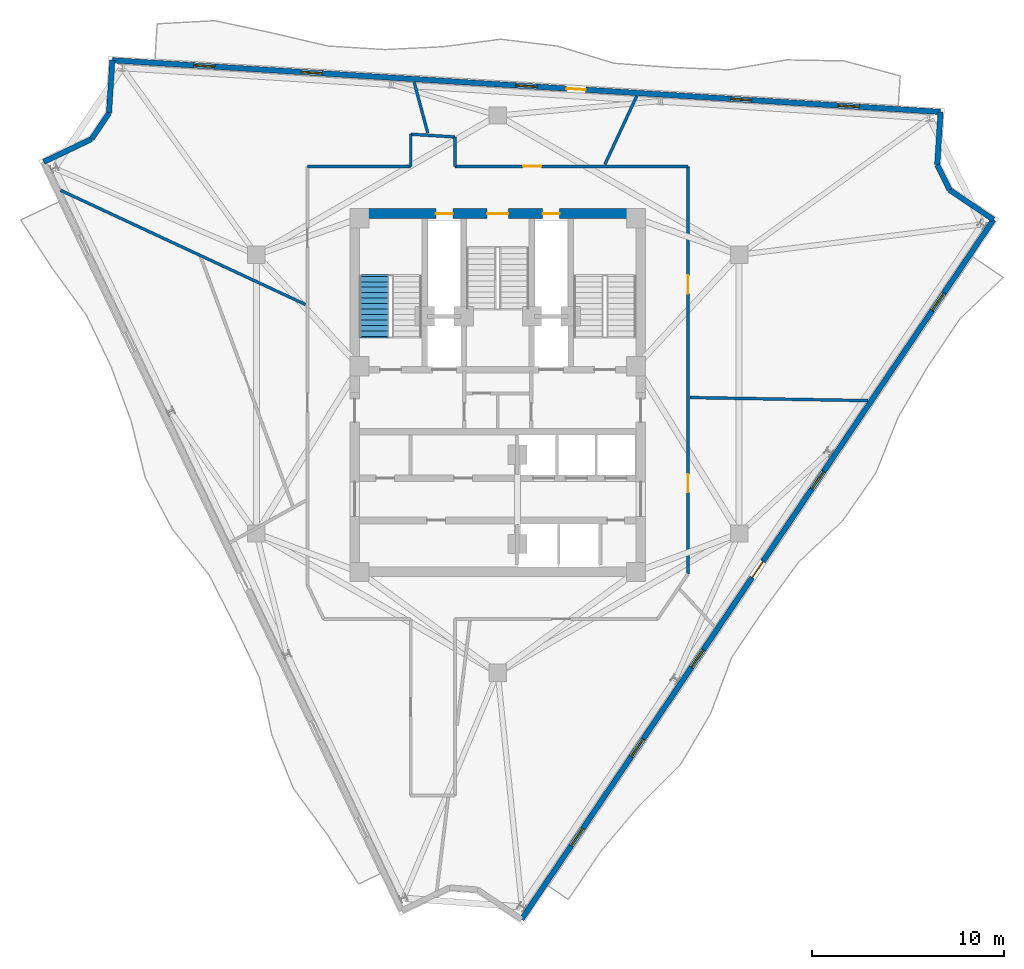
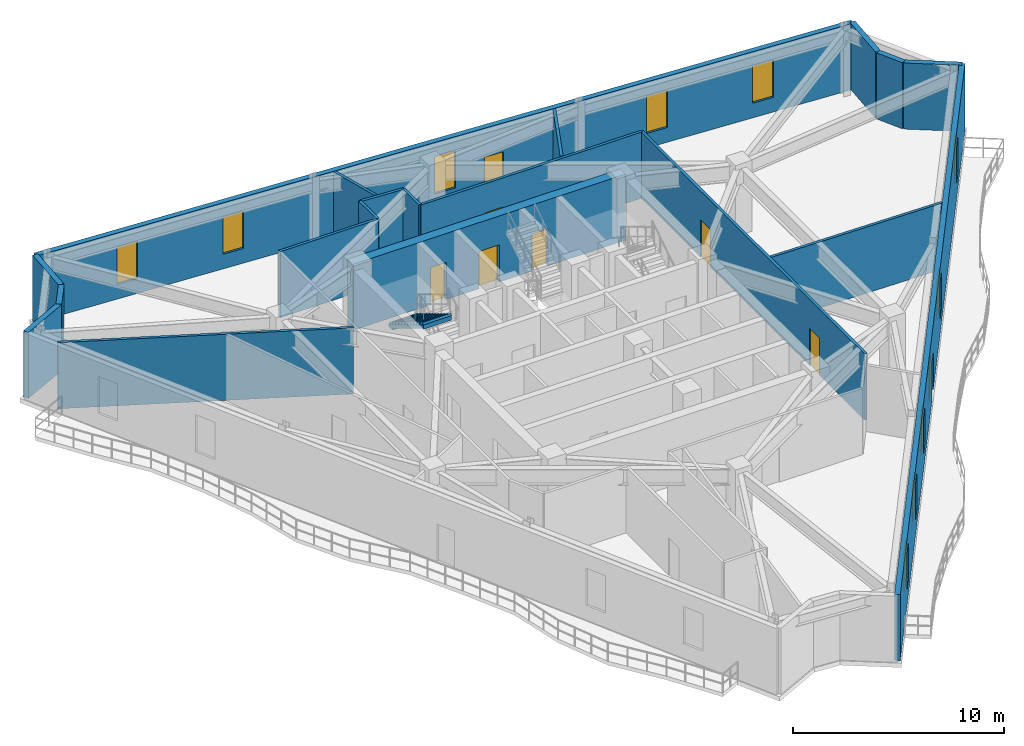
# One storey, part 7 of 11: 19 walls, 10 windows, 8 doors, 1 stair flight, 18 openings, 1 element without a shape of its own.
"""IFC4 building model written with IfcOpenShell, lengths in metres."""

from ifc_helpers import new_model, si_unit, direction, frame, frame_2d, origin, place, context, subcontext, project, spatial, polyline, rectangle, outline, extrude, material, layer, layer_set, type_object, element, fill, aggregate, save


model = new_model("IFC4")

# Units and contexts
model_context = context("Model", 3, precision=1e-05, world=origin(), true_north=direction((0.0, 1.0)))
body_context = subcontext(model_context, "Body", "Model", "MODEL_VIEW")
ifc_project = project(units=[si_unit("LENGTHUNIT", "METRE"), si_unit("AREAUNIT", "SQUARE_METRE"), si_unit("VOLUMEUNIT", "CUBIC_METRE"), si_unit("PLANEANGLEUNIT", "RADIAN"), si_unit("MASSUNIT", "GRAM", prefix="KILO")], contexts=[model_context])

# Site, building, storey
site_placement = place(None, origin())
site = spatial("IfcSite", under=ifc_project, at=site_placement, CompositionType="ELEMENT")
building_placement = place(site_placement, origin())
building = spatial("IfcBuilding", under=site, at=building_placement, Name="Apsidion Concourse Tower", CompositionType="ELEMENT")
storey_placement = place(building_placement, frame((0.0, 0.0, 314.699951171875)))
storey = spatial("IfcBuildingStorey", under=building, at=storey_placement, Name="L74", CompositionType="ELEMENT", Elevation=314.699951171875)

# Wall, openings, door, windows
ifc_material_1 = material(Name="Precast concrete C40/50", Category="concrete")
ifc_layer_1 = layer(ifc_material_1, 0.280029296875)
ifc_layer_set_1 = layer_set([ifc_layer_1], Name="Precast concrete C40/50")
wall_type_1 = type_object("IfcWallType", Name="WL-EXT-280", PredefinedType="STANDARD", material=ifc_layer_set_1)
wall_1_placement = place(storey_placement, frame((-20.056396484375, 17.376220703125, 0.0), z_axis=(0.0, 0.0, 1.0), x_axis=(0.998061236898, -0.06223959674, 0.0)))
wall_1 = element("IfcWall", 1, at=wall_1_placement, inside=storey, type_object=wall_type_1, Name="L74 Precast Stone Facade Wall 01", PredefinedType="STANDARD", context=body_context, shape_type="SweptSolid", body=[
    extrude(rectangle(XDim=43.179931640625, YDim=0.280029296875, at=frame_2d((21.58984375, 0.0))), origin(), (0.0, 0.0, 1.0), 3.820068359375),
])
opening_1_placement = place(wall_1_placement, frame((23.680908203125, 0.0, 0.0)))
opening_1 = element("IfcOpeningElement", 2, at=opening_1_placement, cuts=wall_1, Name="Opening D-T1L", PredefinedType="OPENING", context=body_context, shape_type="SweptSolid", body=[
    extrude(rectangle(XDim=1.0, YDim=2.14990234375, at=frame_2d((0.5, 1.074951171875))), frame((0.0, 0.14990234375, 0.0), z_axis=(0.0, -1.0, 0.0), x_axis=(1.0, 0.0, 0.0)), (0.0, 0.0, 1.0), 0.300048828125),
])
opening_2_placement = place(wall_1_placement, frame((4.239990234375, 0.0, 0.85009765625)))
opening_2 = element("IfcOpeningElement", 3, at=opening_2_placement, cuts=wall_1, Name="Opening WN-07", PredefinedType="OPENING", context=body_context, shape_type="SweptSolid", body=[
    extrude(rectangle(XDim=1.10009765625, YDim=2.14990234375, at=frame_2d((0.550048828125, 1.074951171875))), frame((0.0, 0.14990234375, 0.0), z_axis=(0.0, -1.0, 0.0), x_axis=(1.0, 0.0, 0.0)), (0.0, 0.0, 1.0), 0.300048828125),
])
opening_3_placement = place(wall_1_placement, frame((9.840087890625, 0.0, 0.85009765625)))
opening_3 = element("IfcOpeningElement", 4, at=opening_3_placement, cuts=wall_1, Name="Opening WN-07", PredefinedType="OPENING", context=body_context, shape_type="SweptSolid", body=[
    extrude(rectangle(XDim=1.10009765625, YDim=2.14990234375, at=frame_2d((0.550048828125, 1.074951171875))), frame((0.0, 0.14990234375, 0.0), z_axis=(0.0, -1.0, 0.0), x_axis=(1.0, 0.0, 0.0)), (0.0, 0.0, 1.0), 0.300048828125),
])
opening_4_placement = place(wall_1_placement, frame((21.0400390625, 0.0, 0.85009765625)))
opening_4 = element("IfcOpeningElement", 5, at=opening_4_placement, cuts=wall_1, Name="Opening WN-07", PredefinedType="OPENING", context=body_context, shape_type="SweptSolid", body=[
    extrude(rectangle(XDim=1.10009765625, YDim=2.14990234375, at=frame_2d((0.550048828125, 1.074951171875))), frame((0.0, 0.14990234375, 0.0), z_axis=(0.0, -1.0, 0.0), x_axis=(1.0, 0.0, 0.0)), (0.0, 0.0, 1.0), 0.300048828125),
])
opening_5_placement = place(wall_1_placement, frame((32.239990234375, 0.0, 0.85009765625)))
opening_5 = element("IfcOpeningElement", 6, at=opening_5_placement, cuts=wall_1, Name="Opening WN-07", PredefinedType="OPENING", context=body_context, shape_type="SweptSolid", body=[
    extrude(rectangle(XDim=1.10009765625, YDim=2.14990234375, at=frame_2d((0.550048828125, 1.074951171875))), frame((0.0, 0.14990234375, 0.0), z_axis=(0.0, -1.0, 0.0), x_axis=(1.0, 0.0, 0.0)), (0.0, 0.0, 1.0), 0.300048828125),
])
opening_6_placement = place(wall_1_placement, frame((37.840087890625, 0.0, 0.85009765625)))
opening_6 = element("IfcOpeningElement", 7, at=opening_6_placement, cuts=wall_1, Name="Opening WN-07", PredefinedType="OPENING", context=body_context, shape_type="SweptSolid", body=[
    extrude(rectangle(XDim=1.10009765625, YDim=2.14990234375, at=frame_2d((0.550048828125, 1.074951171875))), frame((0.0, 0.14990234375, 0.0), z_axis=(0.0, -1.0, 0.0), x_axis=(1.0, 0.0, 0.0)), (0.0, 0.0, 1.0), 0.300048828125),
])
ifc_material_2 = material(Name="Anodised aluminium EN AW-6063 T6", Category="aluminium")
door_type_1 = type_object("IfcDoorType", Name="DR-TER-1022L", OperationType="SINGLE_SWING_LEFT", PredefinedType="DOOR", material=ifc_material_2)
door_1_placement = place(opening_1_placement, origin())
door_1 = element("IfcDoor", 8, at=door_1_placement, inside=storey, type_object=door_type_1, Name="L74 Balcony Access Door 3", OperationType="SINGLE_SWING_LEFT", OverallHeight=2.14990234375, OverallWidth=1.0, PredefinedType="DOOR", context=body_context, shape_type="SweptSolid", body=[
    extrude(rectangle(XDim=1.0, YDim=2.14990234375, at=frame_2d((0.5, 1.074951171875))), frame((0.0, 0.02490234375, 0.0), z_axis=(0.0, -1.0, 0.0), x_axis=(1.0, 0.0, 0.0)), (0.0, 0.0, 1.0), 0.050048828125),
])
fill(opening_1, door_1)
ifc_material_3 = material(Name="Insulated laminated low-E glass", Category="glass")
window_type = type_object("IfcWindowType", Name="WN-OFF-1123", PartitioningType="SINGLE_PANEL", PredefinedType="WINDOW", material=ifc_material_3)
window_1_placement = place(opening_2_placement, origin())
window_1 = element("IfcWindow", 9, at=window_1_placement, inside=storey, type_object=window_type, Name="L74 Punched Facade Window 1-01", OverallHeight=2.14990234375, OverallWidth=1.10009765625, PartitioningType="SINGLE_PANEL", PredefinedType="WINDOW", context=body_context, shape_type="SweptSolid", body=[
    extrude(rectangle(XDim=1.10009765625, YDim=2.14990234375, at=frame_2d((0.550048828125, 1.074951171875))), frame((0.0, 0.030029296875, 0.0), z_axis=(0.0, -1.0, 0.0), x_axis=(1.0, 0.0, 0.0)), (0.0, 0.0, 1.0), 0.06005859375),
])
fill(opening_2, window_1)
window_2_placement = place(opening_3_placement, origin())
window_2 = element("IfcWindow", 10, at=window_2_placement, inside=storey, type_object=window_type, Name="L74 Punched Facade Window 1-02", OverallHeight=2.14990234375, OverallWidth=1.10009765625, PartitioningType="SINGLE_PANEL", PredefinedType="WINDOW", context=body_context, shape_type="SweptSolid", body=[
    extrude(rectangle(XDim=1.10009765625, YDim=2.14990234375, at=frame_2d((0.550048828125, 1.074951171875))), frame((0.0, 0.030029296875, 0.0), z_axis=(0.0, -1.0, 0.0), x_axis=(1.0, 0.0, 0.0)), (0.0, 0.0, 1.0), 0.06005859375),
])
fill(opening_3, window_2)
window_3_placement = place(opening_4_placement, origin())
window_3 = element("IfcWindow", 11, at=window_3_placement, inside=storey, type_object=window_type, Name="L74 Punched Facade Window 1-04", OverallHeight=2.14990234375, OverallWidth=1.10009765625, PartitioningType="SINGLE_PANEL", PredefinedType="WINDOW", context=body_context, shape_type="SweptSolid", body=[
    extrude(rectangle(XDim=1.10009765625, YDim=2.14990234375, at=frame_2d((0.550048828125, 1.074951171875))), frame((0.0, 0.030029296875, 0.0), z_axis=(0.0, -1.0, 0.0), x_axis=(1.0, 0.0, 0.0)), (0.0, 0.0, 1.0), 0.06005859375),
])
fill(opening_4, window_3)
window_4_placement = place(opening_5_placement, origin())
window_4 = element("IfcWindow", 12, at=window_4_placement, inside=storey, type_object=window_type, Name="L74 Punched Facade Window 1-06", OverallHeight=2.14990234375, OverallWidth=1.10009765625, PartitioningType="SINGLE_PANEL", PredefinedType="WINDOW", context=body_context, shape_type="SweptSolid", body=[
    extrude(rectangle(XDim=1.10009765625, YDim=2.14990234375, at=frame_2d((0.550048828125, 1.074951171875))), frame((0.0, 0.030029296875, 0.0), z_axis=(0.0, -1.0, 0.0), x_axis=(1.0, 0.0, 0.0)), (0.0, 0.0, 1.0), 0.06005859375),
])
fill(opening_5, window_4)
window_5_placement = place(opening_6_placement, origin())
window_5 = element("IfcWindow", 13, at=window_5_placement, inside=storey, type_object=window_type, Name="L74 Punched Facade Window 1-07", OverallHeight=2.14990234375, OverallWidth=1.10009765625, PartitioningType="SINGLE_PANEL", PredefinedType="WINDOW", context=body_context, shape_type="SweptSolid", body=[
    extrude(rectangle(XDim=1.10009765625, YDim=2.14990234375, at=frame_2d((0.550048828125, 1.074951171875))), frame((0.0, 0.030029296875, 0.0), z_axis=(0.0, -1.0, 0.0), x_axis=(1.0, 0.0, 0.0)), (0.0, 0.0, 1.0), 0.06005859375),
])
fill(opening_6, window_5)

# Walls
wall_2_placement = place(storey_placement, frame((23.039794921875, 14.688720703125, 0.0), z_axis=(0.0, 0.0, 1.0), x_axis=(-0.062295651102, -0.998057739739, 0.0)))
element("IfcWall", 14, at=wall_2_placement, inside=storey, type_object=wall_type_1, Name="L74 Precast Stone Facade Wall 02", PredefinedType="STANDARD", context=body_context, shape_type="SweptSolid", body=[
    extrude(rectangle(XDim=2.759033203125, YDim=0.280029296875, at=frame_2d((1.37939453125, 0.0))), origin(), (0.0, 0.0, 1.0), 3.820068359375),
])
wall_3_placement = place(storey_placement, frame((22.867919921875, 11.93505859375, 0.0), z_axis=(0.0, 0.0, 1.0), x_axis=(0.441785524615, -0.897120699929, 0.0)))
element("IfcWall", 15, at=wall_3_placement, inside=storey, type_object=wall_type_1, Name="L74 Precast Stone Facade Wall 03", PredefinedType="STANDARD", context=body_context, shape_type="SweptSolid", body=[
    extrude(rectangle(XDim=1.45947265625, YDim=0.280029296875, at=frame_2d((0.729736328125, 0.0))), origin(), (0.0, 0.0, 1.0), 3.820068359375),
])
wall_4_placement = place(storey_placement, frame((23.5126953125, 10.625732421875, 0.0), z_axis=(0.0, 0.0, 1.0), x_axis=(0.829056864924, -0.559164300294, 0.0)))
element("IfcWall", 16, at=wall_4_placement, inside=storey, type_object=wall_type_1, Name="L74 Precast Stone Facade Wall 04", PredefinedType="STANDARD", context=body_context, shape_type="SweptSolid", body=[
    extrude(rectangle(XDim=2.759033203125, YDim=0.280029296875, at=frame_2d((1.37939453125, 0.0))), origin(), (0.0, 0.0, 1.0), 3.820068359375),
])

# Wall, openings, door, windows
wall_5_placement = place(storey_placement, frame((25.800048828125, 9.0830078125, 0.0), z_axis=(0.0, 0.0, 1.0), x_axis=(-0.55919392155, -0.829036885851, 0.0)))
wall_5 = element("IfcWall", 17, at=wall_5_placement, inside=storey, type_object=wall_type_1, Name="L74 Precast Stone Facade Wall 05", PredefinedType="STANDARD", context=body_context, shape_type="SweptSolid", body=[
    extrude(rectangle(XDim=43.914794921875, YDim=0.280029296875, at=frame_2d((21.95751953125, 0.0))), origin(), (0.0, 0.0, 1.0), 3.820068359375),
])
opening_7_placement = place(wall_5_placement, frame((21.457275390625, 0.0, 0.0)))
opening_7 = element("IfcOpeningElement", 18, at=opening_7_placement, cuts=wall_5, Name="Opening D-T1R", PredefinedType="OPENING", context=body_context, shape_type="SweptSolid", body=[
    extrude(rectangle(XDim=1.0, YDim=2.14990234375, at=frame_2d((0.5, 1.074951171875))), frame((0.0, 0.14990234375, 0.0), z_axis=(0.0, -1.0, 0.0), x_axis=(1.0, 0.0, 0.0)), (0.0, 0.0, 1.0), 0.300048828125),
])
opening_8_placement = place(wall_5_placement, frame((4.607421875, 0.0, 0.85009765625)))
opening_8 = element("IfcOpeningElement", 19, at=opening_8_placement, cuts=wall_5, Name="Opening WN-07", PredefinedType="OPENING", context=body_context, shape_type="SweptSolid", body=[
    extrude(rectangle(XDim=1.10009765625, YDim=2.14990234375, at=frame_2d((0.550048828125, 1.074951171875))), frame((0.0, 0.14990234375, 0.0), z_axis=(0.0, -1.0, 0.0), x_axis=(1.0, 0.0, 0.0)), (0.0, 0.0, 1.0), 0.300048828125),
])
opening_9_placement = place(wall_5_placement, frame((15.807373046875, 0.0, 0.85009765625)))
opening_9 = element("IfcOpeningElement", 20, at=opening_9_placement, cuts=wall_5, Name="Opening WN-07", PredefinedType="OPENING", context=body_context, shape_type="SweptSolid", body=[
    extrude(rectangle(XDim=1.10009765625, YDim=2.14990234375, at=frame_2d((0.550048828125, 1.074951171875))), frame((0.0, 0.14990234375, 0.0), z_axis=(0.0, -1.0, 0.0), x_axis=(1.0, 0.0, 0.0)), (0.0, 0.0, 1.0), 0.300048828125),
])
opening_10_placement = place(wall_5_placement, frame((27.00732421875, 0.0, 0.85009765625)))
opening_10 = element("IfcOpeningElement", 21, at=opening_10_placement, cuts=wall_5, Name="Opening WN-07", PredefinedType="OPENING", context=body_context, shape_type="SweptSolid", body=[
    extrude(rectangle(XDim=1.10009765625, YDim=2.14990234375, at=frame_2d((0.550048828125, 1.074951171875))), frame((0.0, 0.14990234375, 0.0), z_axis=(0.0, -1.0, 0.0), x_axis=(1.0, 0.0, 0.0)), (0.0, 0.0, 1.0), 0.300048828125),
])
opening_11_placement = place(wall_5_placement, frame((32.607421875, 0.0, 0.85009765625)))
opening_11 = element("IfcOpeningElement", 22, at=opening_11_placement, cuts=wall_5, Name="Opening WN-07", PredefinedType="OPENING", context=body_context, shape_type="SweptSolid", body=[
    extrude(rectangle(XDim=1.10009765625, YDim=2.14990234375, at=frame_2d((0.550048828125, 1.074951171875))), frame((0.0, 0.14990234375, 0.0), z_axis=(0.0, -1.0, 0.0), x_axis=(1.0, 0.0, 0.0)), (0.0, 0.0, 1.0), 0.300048828125),
])
opening_12_placement = place(wall_5_placement, frame((38.207275390625, 0.0, 0.85009765625)))
opening_12 = element("IfcOpeningElement", 23, at=opening_12_placement, cuts=wall_5, Name="Opening WN-07", PredefinedType="OPENING", context=body_context, shape_type="SweptSolid", body=[
    extrude(rectangle(XDim=1.10009765625, YDim=2.14990234375, at=frame_2d((0.550048828125, 1.074951171875))), frame((0.0, 0.14990234375, 0.0), z_axis=(0.0, -1.0, 0.0), x_axis=(1.0, 0.0, 0.0)), (0.0, 0.0, 1.0), 0.300048828125),
])
door_type_2 = type_object("IfcDoorType", Name="DR-TER-1022R", OperationType="SINGLE_SWING_RIGHT", PredefinedType="DOOR", material=ifc_material_2)
door_2_placement = place(opening_7_placement, origin())
door_2 = element("IfcDoor", 24, at=door_2_placement, inside=storey, type_object=door_type_2, Name="L74 Balcony Access Door 2", OperationType="SINGLE_SWING_RIGHT", OverallHeight=2.14990234375, OverallWidth=1.0, PredefinedType="DOOR", context=body_context, shape_type="SweptSolid", body=[
    extrude(rectangle(XDim=1.0, YDim=2.14990234375, at=frame_2d((0.5, 1.074951171875))), frame((0.0, 0.02490234375, 0.0), z_axis=(0.0, -1.0, 0.0), x_axis=(1.0, 0.0, 0.0)), (0.0, 0.0, 1.0), 0.050048828125),
])
fill(opening_7, door_2)
window_6_placement = place(opening_8_placement, origin())
window_6 = element("IfcWindow", 25, at=window_6_placement, inside=storey, type_object=window_type, Name="L74 Punched Facade Window 5-01", OverallHeight=2.14990234375, OverallWidth=1.10009765625, PartitioningType="SINGLE_PANEL", PredefinedType="WINDOW", context=body_context, shape_type="SweptSolid", body=[
    extrude(rectangle(XDim=1.10009765625, YDim=2.14990234375, at=frame_2d((0.550048828125, 1.074951171875))), frame((0.0, 0.030029296875, 0.0), z_axis=(0.0, -1.0, 0.0), x_axis=(1.0, 0.0, 0.0)), (0.0, 0.0, 1.0), 0.06005859375),
])
fill(opening_8, window_6)
window_7_placement = place(opening_9_placement, origin())
window_7 = element("IfcWindow", 26, at=window_7_placement, inside=storey, type_object=window_type, Name="L74 Punched Facade Window 5-03", OverallHeight=2.14990234375, OverallWidth=1.10009765625, PartitioningType="SINGLE_PANEL", PredefinedType="WINDOW", context=body_context, shape_type="SweptSolid", body=[
    extrude(rectangle(XDim=1.10009765625, YDim=2.14990234375, at=frame_2d((0.550048828125, 1.074951171875))), frame((0.0, 0.030029296875, 0.0), z_axis=(0.0, -1.0, 0.0), x_axis=(1.0, 0.0, 0.0)), (0.0, 0.0, 1.0), 0.06005859375),
])
fill(opening_9, window_7)
window_8_placement = place(opening_10_placement, origin())
window_8 = element("IfcWindow", 27, at=window_8_placement, inside=storey, type_object=window_type, Name="L74 Punched Facade Window 5-05", OverallHeight=2.14990234375, OverallWidth=1.10009765625, PartitioningType="SINGLE_PANEL", PredefinedType="WINDOW", context=body_context, shape_type="SweptSolid", body=[
    extrude(rectangle(XDim=1.10009765625, YDim=2.14990234375, at=frame_2d((0.550048828125, 1.074951171875))), frame((0.0, 0.030029296875, 0.0), z_axis=(0.0, -1.0, 0.0), x_axis=(1.0, 0.0, 0.0)), (0.0, 0.0, 1.0), 0.06005859375),
])
fill(opening_10, window_8)
window_9_placement = place(opening_11_placement, origin())
window_9 = element("IfcWindow", 28, at=window_9_placement, inside=storey, type_object=window_type, Name="L74 Punched Facade Window 5-06", OverallHeight=2.14990234375, OverallWidth=1.10009765625, PartitioningType="SINGLE_PANEL", PredefinedType="WINDOW", context=body_context, shape_type="SweptSolid", body=[
    extrude(rectangle(XDim=1.10009765625, YDim=2.14990234375, at=frame_2d((0.550048828125, 1.074951171875))), frame((0.0, 0.030029296875, 0.0), z_axis=(0.0, -1.0, 0.0), x_axis=(1.0, 0.0, 0.0)), (0.0, 0.0, 1.0), 0.06005859375),
])
fill(opening_11, window_9)
window_10_placement = place(opening_12_placement, origin())
window_10 = element("IfcWindow", 29, at=window_10_placement, inside=storey, type_object=window_type, Name="L74 Punched Facade Window 5-07", OverallHeight=2.14990234375, OverallWidth=1.10009765625, PartitioningType="SINGLE_PANEL", PredefinedType="WINDOW", context=body_context, shape_type="SweptSolid", body=[
    extrude(rectangle(XDim=1.10009765625, YDim=2.14990234375, at=frame_2d((0.550048828125, 1.074951171875))), frame((0.0, 0.030029296875, 0.0), z_axis=(0.0, -1.0, 0.0), x_axis=(1.0, 0.0, 0.0)), (0.0, 0.0, 1.0), 0.06005859375),
])
fill(opening_12, window_10)

# Walls
wall_6_placement = place(storey_placement, frame((-23.62451171875, 12.0869140625, 0.0), z_axis=(0.0, 0.0, 1.0), x_axis=(0.902092306117, 0.431543127909, 0.0)))
element("IfcWall", 30, at=wall_6_placement, inside=storey, type_object=wall_type_1, Name="L74 Precast Stone Facade Wall 10", PredefinedType="STANDARD", context=body_context, shape_type="SweptSolid", body=[
    extrude(rectangle(XDim=2.76025390625, YDim=0.280029296875, at=frame_2d((1.380126953125, 0.0))), origin(), (0.0, 0.0, 1.0), 3.820068359375),
])
wall_7_placement = place(storey_placement, frame((-21.134521484375, 13.278076171875, 0.0), z_axis=(0.0, 0.0, 1.0), x_axis=(0.559107950815, 0.829094867512, 0.0)))
element("IfcWall", 31, at=wall_7_placement, inside=storey, type_object=wall_type_1, Name="L74 Precast Stone Facade Wall 11", PredefinedType="STANDARD", context=body_context, shape_type="SweptSolid", body=[
    extrude(rectangle(XDim=1.620361328125, YDim=0.280029296875, at=frame_2d((0.81005859375, 0.0))), origin(), (0.0, 0.0, 1.0), 3.820068359375),
])
wall_8_placement = place(storey_placement, frame((-20.228515625, 14.62158203125, 0.0), z_axis=(0.0, 0.0, 1.0), x_axis=(0.062361765106, 0.998053610911, 0.0)))
element("IfcWall", 32, at=wall_8_placement, inside=storey, type_object=wall_type_1, Name="L74 Precast Stone Facade Wall 12", PredefinedType="STANDARD", context=body_context, shape_type="SweptSolid", body=[
    extrude(rectangle(XDim=2.760009765625, YDim=0.280029296875, at=frame_2d((1.3798828125, 0.0))), origin(), (0.0, 0.0, 1.0), 3.820068359375),
])
ifc_material_4 = material(Name="Gypsum plasterboard partition")
ifc_layer_2 = layer(ifc_material_4, 0.14990234375)
ifc_layer_set_2 = layer_set([ifc_layer_2], Name="Gypsum plasterboard partition")
wall_type_2 = type_object("IfcWallType", Name="WL-INT-PAR-150", PredefinedType="PARTITIONING", material=ifc_layer_set_2)
wall_9_placement = place(storey_placement, frame((-9.89990234375, 11.85009765625, 0.0), z_axis=(0.0, 0.0, 1.0), x_axis=(1.0, 0.0, 0.0)))
element("IfcWall", 33, at=wall_9_placement, inside=storey, type_object=wall_type_2, Name="L74 Interior Partition WL-L74-CORR-04", PredefinedType="PARTITIONING", context=body_context, shape_type="SweptSolid", body=[
    extrude(rectangle(XDim=5.369873046875, YDim=0.14990234375, at=frame_2d((2.68505859375, 0.0))), origin(), (0.0, 0.0, 1.0), 3.820068359375),
])
wall_10_placement = place(storey_placement, frame((-4.530029296875, 11.85009765625, 0.0), z_axis=(0.0, 0.0, 1.0), x_axis=(0.0, 1.0, 0.0)))
element("IfcWall", 34, at=wall_10_placement, inside=storey, type_object=wall_type_2, Name="L74 Interior Partition WL-L74-CORR-05", PredefinedType="PARTITIONING", context=body_context, shape_type="SweptSolid", body=[
    extrude(rectangle(XDim=1.67724609375, YDim=0.14990234375, at=frame_2d((0.838623046875, 0.0))), origin(), (0.0, 0.0, 1.0), 3.820068359375),
])
wall_11_placement = place(storey_placement, frame((-4.530029296875, 13.52734375, 0.0), z_axis=(0.0, 0.0, 1.0), x_axis=(0.998061597532, -0.062233813416, 0.0)))
element("IfcWall", 35, at=wall_11_placement, inside=storey, type_object=wall_type_2, Name="L74 Interior Partition WL-L74-CORR-06", PredefinedType="PARTITIONING", context=body_context, shape_type="SweptSolid", body=[
    extrude(rectangle(XDim=2.314453125, YDim=0.14990234375, at=frame_2d((1.1572265625, 0.0))), origin(), (0.0, 0.0, 1.0), 3.820068359375),
])
wall_12_placement = place(storey_placement, frame((-2.219970703125, 13.38330078125, 0.0), z_axis=(0.0, 0.0, 1.0), x_axis=(0.0, -1.0, 0.0)))
element("IfcWall", 36, at=wall_12_placement, inside=storey, type_object=wall_type_2, Name="L74 Interior Partition WL-L74-CORR-07", PredefinedType="PARTITIONING", context=body_context, shape_type="SweptSolid", body=[
    extrude(rectangle(XDim=1.533203125, YDim=0.14990234375, at=frame_2d((0.7666015625, 0.0))), origin(), (0.0, 0.0, 1.0), 3.820068359375),
])

# Wall, opening, door
wall_13_placement = place(storey_placement, frame((-2.219970703125, 11.85009765625, 0.0), z_axis=(0.0, 0.0, 1.0), x_axis=(1.0, 0.0, 0.0)))
wall_13 = element("IfcWall", 37, at=wall_13_placement, inside=storey, type_object=wall_type_2, Name="L74 Interior Partition WL-L74-CORR-08", PredefinedType="PARTITIONING", context=body_context, shape_type="SweptSolid", body=[
    extrude(rectangle(XDim=12.119873046875, YDim=0.14990234375, at=frame_2d((6.06005859375, 0.0))), origin(), (0.0, 0.0, 1.0), 3.820068359375),
])
opening_13_placement = place(wall_13_placement, frame((3.5439453125, 0.0, 0.0)))
opening_13 = element("IfcOpeningElement", 38, at=opening_13_placement, cuts=wall_13, Name="Opening D-01L", PredefinedType="OPENING", context=body_context, shape_type="SweptSolid", body=[
    extrude(rectangle(XDim=0.949951171875, YDim=2.14990234375, at=frame_2d((0.47509765625, 1.074951171875))), frame((0.0, 0.0849609375, 0.0), z_axis=(0.0, -1.0, 0.0), x_axis=(1.0, 0.0, 0.0)), (0.0, 0.0, 1.0), 0.169921875),
])
ifc_material_5 = material(Name="Brushed stainless steel 316", Category="steel")
door_type_3 = type_object("IfcDoorType", Name="DR-INT-D01L", OperationType="SINGLE_SWING_LEFT", PredefinedType="DOOR", material=ifc_material_5)
door_3_placement = place(opening_13_placement, origin())
door_3 = element("IfcDoor", 39, at=door_3_placement, inside=storey, type_object=door_type_3, Name="L74 Corridor Entry Door 05", OperationType="SINGLE_SWING_LEFT", OverallHeight=2.14990234375, OverallWidth=0.949951171875, PredefinedType="DOOR", context=body_context, shape_type="SweptSolid", body=[
    extrude(rectangle(XDim=0.949951171875, YDim=2.14990234375, at=frame_2d((0.47509765625, 1.074951171875))), frame((0.0, 0.02490234375, 0.0), z_axis=(0.0, -1.0, 0.0), x_axis=(1.0, 0.0, 0.0)), (0.0, 0.0, 1.0), 0.050048828125),
])
fill(opening_13, door_3)

# Wall, openings, doors
wall_14_placement = place(storey_placement, frame((9.89990234375, 11.85009765625, 0.0), z_axis=(0.0, 0.0, 1.0), x_axis=(0.0, -1.0, 0.0)))
wall_14 = element("IfcWall", 40, at=wall_14_placement, inside=storey, type_object=wall_type_2, Name="L74 Interior Partition WL-L74-CORR-09", PredefinedType="PARTITIONING", context=body_context, shape_type="SweptSolid", body=[
    extrude(rectangle(XDim=21.198486328125, YDim=0.14990234375, at=frame_2d((10.59912109375, 0.0))), origin(), (0.0, 0.0, 1.0), 3.820068359375),
])
opening_14_placement = place(wall_14_placement, frame((16.0087890625, 0.0, 0.0)))
opening_14 = element("IfcOpeningElement", 41, at=opening_14_placement, cuts=wall_14, Name="Opening D-01L", PredefinedType="OPENING", context=body_context, shape_type="SweptSolid", body=[
    extrude(rectangle(XDim=0.949951171875, YDim=2.14990234375, at=frame_2d((0.47509765625, 1.074951171875))), frame((0.0, 0.0849609375, 0.0), z_axis=(0.0, -1.0, 0.0), x_axis=(1.0, 0.0, 0.0)), (0.0, 0.0, 1.0), 0.169921875),
])
opening_15_placement = place(wall_14_placement, frame((5.6640625, 0.0, 0.0)))
opening_15 = element("IfcOpeningElement", 42, at=opening_15_placement, cuts=wall_14, Name="Opening D-01R", PredefinedType="OPENING", context=body_context, shape_type="SweptSolid", body=[
    extrude(rectangle(XDim=0.949951171875, YDim=2.14990234375, at=frame_2d((0.47509765625, 1.074951171875))), frame((0.0, 0.0849609375, 0.0), z_axis=(0.0, -1.0, 0.0), x_axis=(1.0, 0.0, 0.0)), (0.0, 0.0, 1.0), 0.169921875),
])
door_4_placement = place(opening_14_placement, origin())
door_4 = element("IfcDoor", 43, at=door_4_placement, inside=storey, type_object=door_type_3, Name="L74 Corridor Entry Door 03", OperationType="SINGLE_SWING_LEFT", OverallHeight=2.14990234375, OverallWidth=0.949951171875, PredefinedType="DOOR", context=body_context, shape_type="SweptSolid", body=[
    extrude(rectangle(XDim=0.949951171875, YDim=2.14990234375, at=frame_2d((0.47509765625, 1.074951171875))), frame((0.0, 0.02490234375, 0.0), z_axis=(0.0, -1.0, 0.0), x_axis=(1.0, 0.0, 0.0)), (0.0, 0.0, 1.0), 0.050048828125),
])
fill(opening_14, door_4)
door_type_4 = type_object("IfcDoorType", Name="DR-INT-D01R", OperationType="SINGLE_SWING_RIGHT", PredefinedType="DOOR", material=ifc_material_5)
door_5_placement = place(opening_15_placement, origin())
door_5 = element("IfcDoor", 44, at=door_5_placement, inside=storey, type_object=door_type_4, Name="L74 Corridor Entry Door 04", OperationType="SINGLE_SWING_RIGHT", OverallHeight=2.14990234375, OverallWidth=0.949951171875, PredefinedType="DOOR", context=body_context, shape_type="SweptSolid", body=[
    extrude(rectangle(XDim=0.949951171875, YDim=2.14990234375, at=frame_2d((0.47509765625, 1.074951171875))), frame((0.0, 0.02490234375, 0.0), z_axis=(0.0, -1.0, 0.0), x_axis=(1.0, 0.0, 0.0)), (0.0, 0.0, 1.0), 0.050048828125),
])
fill(opening_15, door_5)

# Walls
wall_15_placement = place(storey_placement, frame((5.57470703125, 11.955078125, 0.0), z_axis=(0.0, 0.0, 1.0), x_axis=(0.422633924121, 0.906300483384, 0.0)))
element("IfcWall", 45, at=wall_15_placement, inside=storey, type_object=wall_type_2, Name="L74 Interior Partition WL-L74-RAD-01-1", PredefinedType="PARTITIONING", context=body_context, shape_type="SweptSolid", body=[
    extrude(rectangle(XDim=3.93212890625, YDim=0.14990234375, at=frame_2d((1.966064453125, 0.0))), origin(), (0.0, 0.0, 1.0), 3.820068359375),
])
wall_16_placement = place(storey_placement, frame((-3.637939453125, 13.576904296875, 0.0), z_axis=(0.0, 0.0, 1.0), x_axis=(-0.258764100705, 0.965940546921, 0.0)))
element("IfcWall", 46, at=wall_16_placement, inside=storey, type_object=wall_type_2, Name="L74 Interior Partition WL-L74-RAD-02-1", PredefinedType="PARTITIONING", context=body_context, shape_type="SweptSolid", body=[
    extrude(rectangle(XDim=2.7587890625, YDim=0.14990234375, at=frame_2d((1.37939453125, 0.0))), origin(), (0.0, 0.0, 1.0), 3.820068359375),
])
wall_17_placement = place(storey_placement, frame((-10.0048828125, 4.665283203125, 0.0), z_axis=(0.0, 0.0, 1.0), x_axis=(-0.906304243042, 0.422625861778, 0.0)))
element("IfcWall", 47, at=wall_17_placement, inside=storey, type_object=wall_type_2, Name="L74 Interior Partition WL-L74-RAD-03-1", PredefinedType="PARTITIONING", context=body_context, shape_type="SweptSolid", body=[
    extrude(rectangle(XDim=14.055908203125, YDim=0.14990234375, at=frame_2d((7.02783203125, 0.0))), origin(), (0.0, 0.0, 1.0), 3.820068359375),
])
wall_18_placement = place(storey_placement, frame((10.0048828125, -0.174560546875, 0.0), z_axis=(0.0, 0.0, 1.0), x_axis=(0.999847550881, -0.017460670009, 0.0)))
element("IfcWall", 48, at=wall_18_placement, inside=storey, type_object=wall_type_2, Name="L74 Interior Partition WL-L74-RAD-07-1", PredefinedType="PARTITIONING", context=body_context, shape_type="SweptSolid", body=[
    extrude(rectangle(XDim=9.25634765625, YDim=0.14990234375, at=frame_2d((4.628173828125, 0.0))), origin(), (0.0, 0.0, 1.0), 3.820068359375),
])

# Wall, openings, doors
ifc_material_6 = material(Name="Concrete C50/60", Category="concrete")
ifc_layer_3 = layer(ifc_material_6, 0.5)
ifc_layer_set_3 = layer_set([ifc_layer_3], Name="Concrete C50/60")
wall_type_3 = type_object("IfcWallType", Name="WL-SH-500", PredefinedType="SHEAR", material=ifc_layer_set_3)
wall_19_placement = place(storey_placement, frame((-7.449951171875, 9.39990234375, 0.0), z_axis=(0.0, 0.0, 1.0), x_axis=(1.0, 0.0, 0.0)))
wall_19 = element("IfcWall", 49, at=wall_19_placement, inside=storey, type_object=wall_type_3, Name="L74 Central Core Shear Wall N", PredefinedType="SHEAR", context=body_context, shape_type="SweptSolid", body=[
    extrude(rectangle(XDim=14.89990234375, YDim=0.5, at=frame_2d((7.449951171875, 0.0))), origin(), (0.0, 0.0, 1.0), 3.820068359375),
])
opening_16_placement = place(wall_19_placement, frame((6.89990234375, 0.0, 0.0)))
opening_16 = element("IfcOpeningElement", 50, at=opening_16_placement, cuts=wall_19, Name="Opening D-STL", PredefinedType="OPENING", context=body_context, shape_type="SweptSolid", body=[
    extrude(rectangle(XDim=1.10009765625, YDim=2.14990234375, at=frame_2d((0.550048828125, 1.074951171875))), frame((0.0, 0.260009765625, 0.0), z_axis=(0.0, -1.0, 0.0), x_axis=(1.0, 0.0, 0.0)), (0.0, 0.0, 1.0), 0.52001953125),
])
opening_17_placement = place(wall_19_placement, frame((4.22998046875, 0.0, 0.0)))
opening_17 = element("IfcOpeningElement", 51, at=opening_17_placement, cuts=wall_19, Name="Opening D-05L", PredefinedType="OPENING", context=body_context, shape_type="SweptSolid", body=[
    extrude(rectangle(XDim=0.8798828125, YDim=2.14990234375, at=frame_2d((0.43994140625, 1.074951171875))), frame((0.0, 0.260009765625, 0.0), z_axis=(0.0, -1.0, 0.0), x_axis=(1.0, 0.0, 0.0)), (0.0, 0.0, 1.0), 0.52001953125),
])
opening_18_placement = place(wall_19_placement, frame((9.7900390625, 0.0, 0.0)))
opening_18 = element("IfcOpeningElement", 52, at=opening_18_placement, cuts=wall_19, Name="Opening D-05R", PredefinedType="OPENING", context=body_context, shape_type="SweptSolid", body=[
    extrude(rectangle(XDim=0.8798828125, YDim=2.14990234375, at=frame_2d((0.43994140625, 1.074951171875))), frame((0.0, 0.260009765625, 0.0), z_axis=(0.0, -1.0, 0.0), x_axis=(1.0, 0.0, 0.0)), (0.0, 0.0, 1.0), 0.52001953125),
])
door_type_5 = type_object("IfcDoorType", Name="DR-INT-D05L", OperationType="SINGLE_SWING_LEFT", PredefinedType="DOOR", material=ifc_material_5)
door_6_placement = place(opening_17_placement, origin())
door_6 = element("IfcDoor", 53, at=door_6_placement, inside=storey, type_object=door_type_5, Name="L74 Electrical Riser Shaft Access Door", OperationType="SINGLE_SWING_LEFT", OverallHeight=2.14990234375, OverallWidth=0.8798828125, PredefinedType="DOOR", context=body_context, shape_type="SweptSolid", body=[
    extrude(rectangle(XDim=0.8798828125, YDim=2.14990234375, at=frame_2d((0.43994140625, 1.074951171875))), frame((0.0, 0.02490234375, 0.0), z_axis=(0.0, -1.0, 0.0), x_axis=(1.0, 0.0, 0.0)), (0.0, 0.0, 1.0), 0.050048828125),
])
fill(opening_17, door_6)
door_type_6 = type_object("IfcDoorType", Name="DR-INT-D05R", OperationType="SINGLE_SWING_RIGHT", PredefinedType="DOOR", material=ifc_material_5)
door_7_placement = place(opening_18_placement, origin())
door_7 = element("IfcDoor", 54, at=door_7_placement, inside=storey, type_object=door_type_6, Name="L74 Mechanical Riser Shaft Access Door", OperationType="SINGLE_SWING_RIGHT", OverallHeight=2.14990234375, OverallWidth=0.8798828125, PredefinedType="DOOR", context=body_context, shape_type="SweptSolid", body=[
    extrude(rectangle(XDim=0.8798828125, YDim=2.14990234375, at=frame_2d((0.43994140625, 1.074951171875))), frame((0.0, 0.02490234375, 0.0), z_axis=(0.0, -1.0, 0.0), x_axis=(1.0, 0.0, 0.0)), (0.0, 0.0, 1.0), 0.050048828125),
])
fill(opening_18, door_7)
door_type_7 = type_object("IfcDoorType", Name="DR-INT-ST1L", OperationType="SINGLE_SWING_LEFT", PredefinedType="DOOR", material=ifc_material_5)
door_8_placement = place(opening_16_placement, origin())
door_8 = element("IfcDoor", 55, at=door_8_placement, inside=storey, type_object=door_type_7, Name="L74 Core Exit Stair ST3 Door", OperationType="SINGLE_SWING_LEFT", OverallHeight=2.14990234375, OverallWidth=1.10009765625, PredefinedType="DOOR", context=body_context, shape_type="SweptSolid", body=[
    extrude(rectangle(XDim=1.10009765625, YDim=2.14990234375, at=frame_2d((0.550048828125, 1.074951171875))), frame((0.0, 0.02490234375, 0.0), z_axis=(0.0, -1.0, 0.0), x_axis=(1.0, 0.0, 0.0)), (0.0, 0.0, 1.0), 0.050048828125),
])
fill(opening_16, door_8)

# Stair, stair flight
stair_type = type_object("IfcStairType", Name="ST-DL-1550", PredefinedType="HALF_TURN_STAIR", material=ifc_material_1)
stair_placement = place(storey_placement, origin())
stair = element("IfcStair", 56, at=stair_placement, inside=storey, type_object=stair_type, Name="L74 Protected Core Exit Stair ST1", PredefinedType="HALF_TURN_STAIR")
stair_flight_type = type_object("IfcStairFlightType", Name="SFL-RC-1550", PredefinedType="STRAIGHT", material=ifc_material_1)
stair_flight_placement = place(storey_placement, frame((-6.425048828125, 6.135009765625, 2.050048828125), z_axis=(0.0, 0.0, 1.0), x_axis=(0.0, -1.0, 0.0)))
stair_flight = element("IfcStairFlight", 57, at=stair_flight_placement, type_object=stair_flight_type, Name="ST1 flight 2", NumberOfRisers=12, NumberOfTreads=11, PredefinedType="STRAIGHT", RiserHeight=0.170833333, TreadLength=0.285, context=body_context, shape_type="SweptSolid", body=[
    extrude(outline(polyline([(-0.080078125, -0.1123046875), (-0.080078125, 0.0), (0.0, 0.0), (0.0, 0.1708984375), (0.284912109375, 0.1708984375), (0.284912109375, 0.341552734375), (0.570068359375, 0.341552734375), (0.570068359375, 0.512451171875), (0.85498046875, 0.512451171875), (0.85498046875, 0.683349609375), (1.139892578125, 0.683349609375), (1.139892578125, 0.854248046875), (1.425048828125, 0.854248046875), (1.425048828125, 1.02490234375), (1.7099609375, 1.02490234375), (1.7099609375, 1.19580078125), (1.9951171875, 1.19580078125), (1.9951171875, 1.36669921875), (2.280029296875, 1.36669921875), (2.280029296875, 1.53759765625), (2.56494140625, 1.53759765625), (2.56494140625, 1.708251953125), (2.85009765625, 1.708251953125), (2.85009765625, 1.879150390625), (3.135009765625, 1.879150390625), (3.135009765625, 2.050048828125), (3.215087890625, 1.964599609375), (3.215087890625, 1.704345703125), (3.135009765625, 1.704345703125), (0.29150390625, 0.0), (0.29150390625, -0.1123046875), (-0.080078125, -0.1123046875)])), frame((0.0, 0.77490234375, 0.0), z_axis=(0.0, -1.0, 0.0), x_axis=(1.0, 0.0, 0.0)), (0.0, 0.0, 1.0), 1.550048828125),
])
aggregate(stair, [stair_flight])

save(model, "model.ifc")
